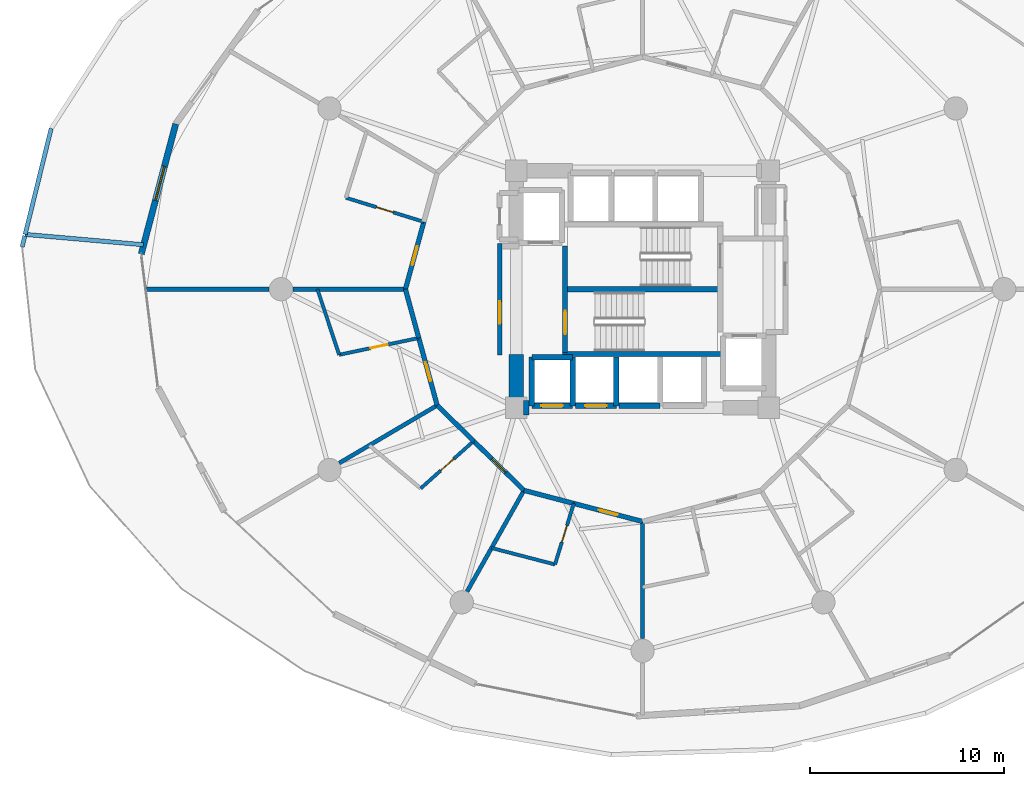
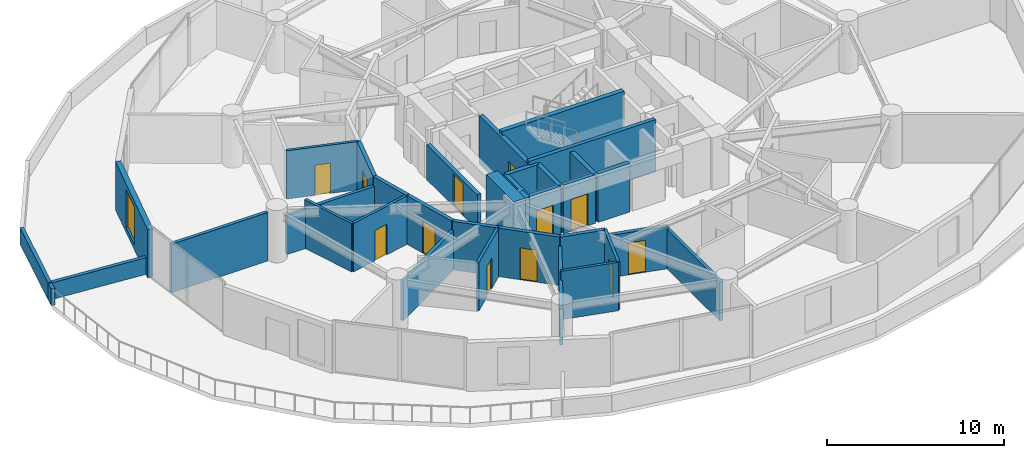
# One storey, part 18 of 25: 35 walls, 12 doors, 1 window, 13 openings.
"""IFC4 building model written with IfcOpenShell, lengths in metres."""

from ifc_helpers import new_model, si_unit, direction, frame, frame_2d, origin, place, context, subcontext, project, spatial, rectangle, extrude, material, layer, layer_set, type_object, element, fill, save


model = new_model("IFC4")

# Units and contexts
model_context = context("Model", 3, precision=1e-05, world=origin(), true_north=direction((0.0, 1.0)))
body_context = subcontext(model_context, "Body", "Model", "MODEL_VIEW")
ifc_project = project(units=[si_unit("LENGTHUNIT", "METRE"), si_unit("AREAUNIT", "SQUARE_METRE"), si_unit("VOLUMEUNIT", "CUBIC_METRE"), si_unit("PLANEANGLEUNIT", "RADIAN"), si_unit("MASSUNIT", "GRAM", prefix="KILO")], contexts=[model_context])

# Site, building, storey
site_placement = place(None, origin())
site = spatial("IfcSite", under=ifc_project, at=site_placement, CompositionType="ELEMENT")
building_placement = place(site_placement, origin())
building = spatial("IfcBuilding", under=site, at=building_placement, Name="Solvirekh Grand Hotel", CompositionType="ELEMENT")
storey_placement = place(building_placement, frame((0.0, 0.0, 28.39990234375)))
storey = spatial("IfcBuildingStorey", under=building, at=storey_placement, Name="L05", CompositionType="ELEMENT", Elevation=28.39990234375)

# Wall
ifc_material_1 = material(Name="Concrete C50/60", Category="concrete")
ifc_layer_1 = layer(ifc_material_1, 0.35009765625)
ifc_layer_set_1 = layer_set([ifc_layer_1], Name="Concrete C50/60")
wall_type_1 = type_object("IfcWallType", Name="CoreDivWall_RC350", PredefinedType="SOLIDWALL", material=ifc_layer_set_1)
wall_1_placement = place(storey_placement, frame((-4.1298828125, -3.324951171875, 0.0), z_axis=(0.0, 0.0, 1.0), x_axis=(1.0, 0.0, 0.0)))
element("IfcWall", 1, at=wall_1_placement, inside=storey, type_object=wall_type_1, Name="L05 core stair box wall ST-S", PredefinedType="SOLIDWALL", context=body_context, shape_type="SweptSolid", body=[
    extrude(rectangle(XDim=8.259765625, YDim=0.25, at=frame_2d((4.1298828125, 0.0))), origin(), (0.0, 0.0, 1.0), 3.60009765625),
])

# Wall, opening, door
ifc_material_2 = material(Name="Concrete C40/50", Category="concrete")
ifc_layer_2 = layer(ifc_material_2, 0.280029296875)
ifc_layer_set_2 = layer_set([ifc_layer_2], Name="Concrete C40/50")
wall_type_2 = type_object("IfcWallType", Name="CoreShaftWall_RC280", PredefinedType="SOLIDWALL", material=ifc_layer_set_2)
wall_2_placement = place(storey_placement, frame((-5.699951171875, -6.0, 0.0), z_axis=(0.0, 0.0, 1.0), x_axis=(1.0, 0.0, 0.0)))
wall_2 = element("IfcWall", 2, at=wall_2_placement, inside=storey, type_object=wall_type_2, Name="L05 LP-1 hoistway S wall", PredefinedType="SOLIDWALL", context=body_context, shape_type="SweptSolid", body=[
    extrude(rectangle(XDim=2.099853515625, YDim=0.280029296875, at=frame_2d((1.0498046875, 0.0))), origin(), (0.0, 0.0, 1.0), 3.340087890625),
])
opening_1_placement = place(wall_2_placement, frame((0.5, 0.0, 0.0)))
opening_1 = element("IfcOpeningElement", 3, at=opening_1_placement, cuts=wall_2, Name="Opening LD01", PredefinedType="OPENING", context=body_context, shape_type="SweptSolid", body=[
    extrude(rectangle(XDim=1.10009765625, YDim=2.199951171875, at=frame_2d((0.550048828125, 1.10009765625))), frame((0.0, 0.14990234375, 0.0), z_axis=(0.0, -1.0, 0.0), x_axis=(1.0, 0.0, 0.0)), (0.0, 0.0, 1.0), 0.300048828125),
])
ifc_material_3 = material(Name="Fire-Rated Steel Door Assembly", Category="steel")
door_type_1 = type_object("IfcDoorType", Name="Door_LiftLanding_1100X2200", OperationType="SLIDING_TO_LEFT", PredefinedType="DOOR", material=ifc_material_3)
door_1_placement = place(opening_1_placement, origin())
door_1 = element("IfcDoor", 4, at=door_1_placement, inside=storey, type_object=door_type_1, Name="L05 LP-1 sliding lift landing door", OperationType="SLIDING_TO_LEFT", OverallHeight=2.199951171875, OverallWidth=1.10009765625, PredefinedType="DOOR", context=body_context, shape_type="SweptSolid", body=[
    extrude(rectangle(XDim=1.10009765625, YDim=2.199951171875, at=frame_2d((0.550048828125, 1.10009765625))), frame((0.0, 0.02490234375, 0.0), z_axis=(0.0, -1.0, 0.0), x_axis=(1.0, 0.0, 0.0)), (0.0, 0.0, 1.0), 0.050048828125),
])
fill(opening_1, door_1)

# Walls
wall_3_placement = place(storey_placement, frame((-3.60009765625, -3.5, 0.0), z_axis=(0.0, 0.0, 1.0), x_axis=(-1.0, 0.0, 0.0)))
element("IfcWall", 5, at=wall_3_placement, inside=storey, type_object=wall_type_2, Name="L05 LP-1 hoistway N wall", PredefinedType="SOLIDWALL", context=body_context, shape_type="SweptSolid", body=[
    extrude(rectangle(XDim=2.099853515625, YDim=0.280029296875, at=frame_2d((1.0498046875, 0.0))), origin(), (0.0, 0.0, 1.0), 3.340087890625),
])
for number, where, z_axis, x_axis, name in (
    (6, (-5.699951171875, -3.5, 0.0), (0.0, 0.0, 1.0), (0.0, -1.0, 0.0), "L05 LP-1 hoistway W wall"),
    (7, (-3.60009765625, -6.0, 0.0), (0.0, 0.0, 1.0), (0.0, 1.0, 0.0), "L05 LP-1 hoistway E wall"),
):
    element("IfcWall", number, at=place(storey_placement, frame(where, z_axis=z_axis, x_axis=x_axis)), inside=storey, type_object=wall_type_2, Name=name, PredefinedType="SOLIDWALL", context=body_context, shape_type="SweptSolid", body=[
        extrude(rectangle(XDim=2.5, YDim=0.280029296875, at=frame_2d((1.25, 0.0))), origin(), (0.0, 0.0, 1.0), 3.340087890625),
    ])

# Wall, opening, door
wall_4_placement = place(storey_placement, frame((-3.449951171875, -6.0, 0.0), z_axis=(0.0, 0.0, 1.0), x_axis=(1.0, 0.0, 0.0)))
wall_4 = element("IfcWall", 8, at=wall_4_placement, inside=storey, type_object=wall_type_2, Name="L05 LP-2 hoistway S wall", PredefinedType="SOLIDWALL", context=body_context, shape_type="SweptSolid", body=[
    extrude(rectangle(XDim=2.099853515625, YDim=0.280029296875, at=frame_2d((1.0498046875, 0.0))), origin(), (0.0, 0.0, 1.0), 3.340087890625),
])
opening_2_placement = place(wall_4_placement, frame((0.5, 0.0, 0.0)))
opening_2 = element("IfcOpeningElement", 9, at=opening_2_placement, cuts=wall_4, Name="Opening LD01", PredefinedType="OPENING", context=body_context, shape_type="SweptSolid", body=[
    extrude(rectangle(XDim=1.10009765625, YDim=2.199951171875, at=frame_2d((0.550048828125, 1.10009765625))), frame((0.0, 0.14990234375, 0.0), z_axis=(0.0, -1.0, 0.0), x_axis=(1.0, 0.0, 0.0)), (0.0, 0.0, 1.0), 0.300048828125),
])
door_2_placement = place(opening_2_placement, origin())
door_2 = element("IfcDoor", 10, at=door_2_placement, inside=storey, type_object=door_type_1, Name="L05 LP-2 sliding lift landing door", OperationType="SLIDING_TO_LEFT", OverallHeight=2.199951171875, OverallWidth=1.10009765625, PredefinedType="DOOR", context=body_context, shape_type="SweptSolid", body=[
    extrude(rectangle(XDim=1.10009765625, YDim=2.199951171875, at=frame_2d((0.550048828125, 1.10009765625))), frame((0.0, 0.02490234375, 0.0), z_axis=(0.0, -1.0, 0.0), x_axis=(1.0, 0.0, 0.0)), (0.0, 0.0, 1.0), 0.050048828125),
])
fill(opening_2, door_2)

# Walls
wall_5_placement = place(storey_placement, frame((-1.35009765625, -6.0, 0.0), z_axis=(0.0, 0.0, 1.0), x_axis=(0.0, 1.0, 0.0)))
element("IfcWall", 11, at=wall_5_placement, inside=storey, type_object=wall_type_2, Name="L05 LP-2 hoistway E wall", PredefinedType="SOLIDWALL", context=body_context, shape_type="SweptSolid", body=[
    extrude(rectangle(XDim=2.5, YDim=0.280029296875, at=frame_2d((1.25, 0.0))), origin(), (0.0, 0.0, 1.0), 3.340087890625),
])
wall_6_placement = place(storey_placement, frame((-1.199951171875, -6.0, 0.0), z_axis=(0.0, 0.0, 1.0), x_axis=(1.0, 0.0, 0.0)))
element("IfcWall", 12, at=wall_6_placement, inside=storey, type_object=wall_type_2, Name="L05 MP-1 hoistway S wall", PredefinedType="SOLIDWALL", context=body_context, shape_type="SweptSolid", body=[
    extrude(rectangle(XDim=2.099853515625, YDim=0.280029296875, at=frame_2d((1.0498046875, 0.0))), origin(), (0.0, 0.0, 1.0), 3.340087890625),
])

# Wall, opening, door
wall_7_placement = place(storey_placement, frame((-3.989990234375, -3.25, 0.0), z_axis=(0.0, 0.0, 1.0), x_axis=(0.0, 1.0, 0.0)))
wall_7 = element("IfcWall", 13, at=wall_7_placement, inside=storey, type_object=wall_type_2, Name="L05 west stair landing enclosure wall", PredefinedType="SOLIDWALL", context=body_context, shape_type="SweptSolid", body=[
    extrude(rectangle(XDim=5.4599609375, YDim=0.280029296875, at=frame_2d((2.72998046875, 0.0))), origin(), (0.0, 0.0, 1.0), 3.340087890625),
])
opening_3_placement = place(wall_7_placement, frame((0.93701171875, 0.0, 0.0)))
opening_3 = element("IfcOpeningElement", 14, at=opening_3_placement, cuts=wall_7, Name="Opening D05", PredefinedType="OPENING", context=body_context, shape_type="SweptSolid", body=[
    extrude(rectangle(XDim=1.199951171875, YDim=2.199951171875, at=frame_2d((0.60009765625, 1.10009765625))), frame((0.0, 0.14990234375, 0.0), z_axis=(0.0, -1.0, 0.0), x_axis=(1.0, 0.0, 0.0)), (0.0, 0.0, 1.0), 0.300048828125),
])
door_type_2 = type_object("IfcDoorType", Name="Door_StairCore_1200X2200", OperationType="NOTDEFINED", PredefinedType="DOOR", material=ifc_material_3)
door_3_placement = place(opening_3_placement, origin())
door_3 = element("IfcDoor", 15, at=door_3_placement, inside=storey, type_object=door_type_2, Name="L05 exit stair ST-1 fire door", OperationType="SINGLE_SWING_RIGHT", OverallHeight=2.199951171875, OverallWidth=1.199951171875, PredefinedType="DOOR", context=body_context, shape_type="SweptSolid", body=[
    extrude(rectangle(XDim=1.199951171875, YDim=2.199951171875, at=frame_2d((0.60009765625, 1.10009765625))), frame((0.0, 0.02490234375, 0.0), z_axis=(0.0, -1.0, 0.0), x_axis=(1.0, 0.0, 0.0)), (0.0, 0.0, 1.0), 0.050048828125),
])
fill(opening_3, door_3)

# Walls
ifc_material_4 = material(Name="Concrete C60/75", Category="concrete")
ifc_layer_3 = layer(ifc_material_4, 0.75)
ifc_layer_set_3 = layer_set([ifc_layer_3], Name="Concrete C60/75")
wall_type_3 = type_object("IfcWallType", Name="CoreWall_RC750", PredefinedType="SHEAR", material=ifc_layer_set_3)
wall_8_placement = place(storey_placement, frame((-3.989990234375, 0.0, 0.0), z_axis=(0.0, 0.0, 1.0), x_axis=(1.0, 0.0, 0.0)))
element("IfcWall", 16, at=wall_8_placement, inside=storey, type_object=wall_type_3, Name="L05 central stair-spine shear wall", PredefinedType="SHEAR", context=body_context, shape_type="SweptSolid", body=[
    extrude(rectangle(XDim=7.97998046875, YDim=0.300048828125, at=frame_2d((3.989990234375, 0.0))), origin(), (0.0, 0.0, 1.0), 3.60009765625),
])
wall_9_placement = place(storey_placement, frame((-6.125, -6.10009765625, 0.0), z_axis=(0.0, 0.0, 1.0), x_axis=(1.0, 0.0, 0.0)))
element("IfcWall", 17, at=wall_9_placement, inside=storey, type_object=wall_type_3, Name="L05 core corner shear wall SW-S", PredefinedType="SHEAR", context=body_context, shape_type="SweptSolid", body=[
    extrude(rectangle(XDim=0.27490234375, YDim=0.75, at=frame_2d((0.137451171875, 0.0))), origin(), (0.0, 0.0, 1.0), 3.60009765625),
])
wall_10_placement = place(storey_placement, frame((-6.5, -6.47509765625, 0.0), z_axis=(0.0, 0.0, 1.0), x_axis=(0.0, 1.0, 0.0)))
element("IfcWall", 18, at=wall_10_placement, inside=storey, type_object=wall_type_3, Name="L05 core corner shear wall WS-W", PredefinedType="SHEAR", context=body_context, shape_type="SweptSolid", body=[
    extrude(rectangle(XDim=3.125, YDim=0.75, at=frame_2d((1.5625, 0.0))), origin(), (0.0, 0.0, 1.0), 3.60009765625),
])

# Wall, opening, window
ifc_material_5 = material(Name="Precast concrete C45/55", Category="concrete")
ifc_layer_4 = layer(ifc_material_5, 0.320068359375)
ifc_layer_set_4 = layer_set([ifc_layer_4], Name="Precast concrete C45/55")
wall_type_4 = type_object("IfcWallType", Name="ExtLobbyWall_RC320", PredefinedType="SOLIDWALL", material=ifc_layer_set_4)
wall_11_placement = place(storey_placement, frame((-25.7890625, 1.80810546875, 0.0), z_axis=(0.0, 0.0, 1.0), x_axis=(0.255999140835, 0.966677009084, 0.0)))
wall_11 = element("IfcWall", 19, at=wall_11_placement, inside=storey, type_object=wall_type_4, Name="L05 exterior structural wall chord 10", PredefinedType="SOLIDWALL", context=body_context, shape_type="SweptSolid", body=[
    extrude(rectangle(XDim=6.925537109375, YDim=0.320068359375, at=frame_2d((3.462890625, 0.0))), origin(), (0.0, 0.0, 1.0), 3.340087890625),
])
opening_4_placement = place(wall_11_placement, frame((2.85791015625, 0.0, 0.35009765625)))
opening_4 = element("IfcOpeningElement", 20, at=opening_4_placement, cuts=wall_11, Name="Opening W02", PredefinedType="OPENING", context=body_context, shape_type="SweptSolid", body=[
    extrude(rectangle(XDim=1.800048828125, YDim=2.60009765625, at=frame_2d((0.89990234375, 1.300048828125))), frame((0.0, 0.169921875, 0.0), z_axis=(0.0, -1.0, 0.0), x_axis=(1.0, 0.0, 0.0)), (0.0, 0.0, 1.0), 0.340087890625),
])
ifc_material_6 = material(Name="Low-E Tinted Bronze Laminated Glass", Category="aluminium")
window_type = type_object("IfcWindowType", Name="Win_LobbyExt_1800X2600", PartitioningType="SINGLE_PANEL", PredefinedType="WINDOW", material=ifc_material_6)
window_placement = place(opening_4_placement, origin())
window = element("IfcWindow", 21, at=window_placement, inside=storey, type_object=window_type, Name="L05 panoramic bronze-framed window 10", OverallHeight=2.60009765625, OverallWidth=1.800048828125, PartitioningType="SINGLE_PANEL", PredefinedType="WINDOW", context=body_context, shape_type="SweptSolid", body=[
    extrude(rectangle(XDim=1.800048828125, YDim=2.60009765625, at=frame_2d((0.89990234375, 1.300048828125))), frame((0.0, 0.030029296875, 0.0), z_axis=(0.0, -1.0, 0.0), x_axis=(1.0, 0.0, 0.0)), (0.0, 0.0, 1.0), 0.06005859375),
])
fill(opening_4, window)

# Walls
ifc_layer_5 = layer(ifc_material_5, 0.219970703125)
ifc_layer_set_5 = layer_set([ifc_layer_5], Name="Precast concrete C45/55")
wall_type_5 = type_object("IfcWallType", Name="ExtParapet_RC220", PredefinedType="PARAPET", material=ifc_layer_set_5)
wall_12_placement = place(storey_placement, frame((-30.424072265625, 8.26806640625, 0.0), z_axis=(0.0, 0.0, 1.0), x_axis=(-0.238448420352, -0.971155163108, 0.0)))
element("IfcWall", 22, at=wall_12_placement, inside=storey, type_object=wall_type_5, Name="L05 north podium roof upstand parapet 9", PredefinedType="PARAPET", context=body_context, shape_type="SweptSolid", body=[
    extrude(rectangle(XDim=5.61083984375, YDim=0.219970703125, at=frame_2d((2.805419921875, 0.0))), origin(), (0.0, 0.0, 1.0), 1.150146484375),
])
wall_13_placement = place(storey_placement, frame((-31.761962890625, 2.819091796875, 0.0), z_axis=(0.0, 0.0, 1.0), x_axis=(0.996192544857, -0.087180350827, 0.0)))
element("IfcWall", 23, at=wall_13_placement, inside=storey, type_object=wall_type_5, Name="L05 north podium roof upstand parapet 10", PredefinedType="PARAPET", context=body_context, shape_type="SweptSolid", body=[
    extrude(rectangle(XDim=6.10205078125, YDim=0.219970703125, at=frame_2d((3.051025390625, 0.0))), origin(), (0.0, 0.0, 1.0), 1.150146484375),
])
wall_14_placement = place(storey_placement, frame((-31.781005859375, 2.739990234375, 0.0), z_axis=(0.0, 0.0, 1.0), x_axis=(-0.239562554153, -0.970880931241, 0.0)))
element("IfcWall", 24, at=wall_14_placement, inside=storey, type_object=wall_type_5, Name="L05 west terrace movement-joint end pier 1A", PredefinedType="PARAPET", context=body_context, shape_type="SweptSolid", body=[
    extrude(rectangle(XDim=0.579833984375, YDim=0.219970703125, at=frame_2d((0.2900390625, 0.0))), origin(), (0.0, 0.0, 1.0), 1.150146484375),
])

# Wall, opening, door
ifc_material_7 = material(Name="Acoustic Gypsum Partition Assembly")
ifc_layer_6 = layer(ifc_material_7, 0.239990234375)
ifc_layer_set_6 = layer_set([ifc_layer_6], Name="Acoustic Gypsum Partition Assembly")
wall_type_6 = type_object("IfcWallType", Name="Part_Corridor_240", PredefinedType="PARTITIONING", material=ifc_layer_set_6)
wall_15_placement = place(storey_placement, frame((-7.35009765625, -3.3798828125, 0.0), z_axis=(0.0, 0.0, 1.0), x_axis=(0.0, 1.0, 0.0)))
wall_15 = element("IfcWall", 25, at=wall_15_placement, inside=storey, type_object=wall_type_6, Name="L05 west firefighting lobby smoke screen wall", PredefinedType="PARTITIONING", context=body_context, shape_type="SweptSolid", body=[
    extrude(rectangle(XDim=5.719970703125, YDim=0.239990234375, at=frame_2d((2.85986328125, 0.0))), origin(), (0.0, 0.0, 1.0), 2.425048828125),
])
opening_5_placement = place(wall_15_placement, frame((1.59912109375, 0.0, 0.0)))
opening_5 = element("IfcOpeningElement", 26, at=opening_5_placement, cuts=wall_15, Name="Opening D06", PredefinedType="OPENING", context=body_context, shape_type="SweptSolid", body=[
    extrude(rectangle(XDim=1.14990234375, YDim=2.199951171875, at=frame_2d((0.574951171875, 1.10009765625))), frame((0.0, 0.1298828125, 0.0), z_axis=(0.0, -1.0, 0.0), x_axis=(1.0, 0.0, 0.0)), (0.0, 0.0, 1.0), 0.260009765625),
])
door_type_3 = type_object("IfcDoorType", Name="Door_FFLobby_1150X2200", OperationType="NOTDEFINED", PredefinedType="DOOR", material=ifc_material_3)
door_4_placement = place(opening_5_placement, origin())
door_4 = element("IfcDoor", 27, at=door_4_placement, inside=storey, type_object=door_type_3, Name="L05 west firefighting lobby smoke door", OperationType="SINGLE_SWING_RIGHT", OverallHeight=2.199951171875, OverallWidth=1.14990234375, PredefinedType="DOOR", context=body_context, shape_type="SweptSolid", body=[
    extrude(rectangle(XDim=1.14990234375, YDim=2.199951171875, at=frame_2d((0.574951171875, 1.10009765625))), frame((0.0, 0.02490234375, 0.0), z_axis=(0.0, -1.0, 0.0), x_axis=(1.0, 0.0, 0.0)), (0.0, 0.0, 1.0), 0.050048828125),
])
fill(opening_5, door_4)

wall_16_placement = place(storey_placement, frame((-11.251953125, 3.466064453125, 0.0), z_axis=(0.0, 0.0, 1.0), x_axis=(-0.263818706543, -0.96457228349, 0.0)))
wall_16 = element("IfcWall", 28, at=wall_16_placement, inside=storey, type_object=wall_type_6, Name="L05 Deluxe Guestroom 0705 entrance wall", PredefinedType="PARTITIONING", context=body_context, shape_type="SweptSolid", body=[
    extrude(rectangle(XDim=3.59326171875, YDim=0.239990234375, at=frame_2d((1.796630859375, 0.0))), origin(), (0.0, 0.0, 1.0), 3.340087890625),
])
opening_6_placement = place(wall_16_placement, frame((1.297119140625, 0.0, 0.0)))
opening_6 = element("IfcOpeningElement", 29, at=opening_6_placement, cuts=wall_16, Name="Opening D07", PredefinedType="OPENING", context=body_context, shape_type="SweptSolid", body=[
    extrude(rectangle(XDim=1.0, YDim=2.199951171875, at=frame_2d((0.5, 1.10009765625))), frame((0.0, 0.1298828125, 0.0), z_axis=(0.0, -1.0, 0.0), x_axis=(1.0, 0.0, 0.0)), (0.0, 0.0, 1.0), 0.260009765625),
])
door_type_4 = type_object("IfcDoorType", Name="Door_GuestEntry_1000X2200", OperationType="NOTDEFINED", PredefinedType="DOOR", material=ifc_material_3)
door_5_placement = place(opening_6_placement, origin())
door_5 = element("IfcDoor", 30, at=door_5_placement, inside=storey, type_object=door_type_4, Name="L05 Deluxe Guestroom 0705 entrance door", OperationType="SINGLE_SWING_LEFT", OverallHeight=2.199951171875, OverallWidth=1.0, PredefinedType="DOOR", context=body_context, shape_type="SweptSolid", body=[
    extrude(rectangle(XDim=1.0, YDim=2.199951171875, at=frame_2d((0.5, 1.10009765625))), frame((0.0, 0.02490234375, 0.0), z_axis=(0.0, -1.0, 0.0), x_axis=(1.0, 0.0, 0.0)), (0.0, 0.0, 1.0), 0.050048828125),
])
fill(opening_6, door_5)

# Wall
wall_17_placement = place(storey_placement, frame((-12.199951171875, 0.0, 0.0), z_axis=(0.0, 0.0, 1.0), x_axis=(0.263744763784, -0.964592504416, 0.0)))
element("IfcWall", 31, at=wall_17_placement, inside=storey, type_object=wall_type_6, Name="L05 En-suite Bathroom 0706 corridor backing wall", PredefinedType="PARTITIONING", context=body_context, shape_type="SweptSolid", body=[
    extrude(rectangle(XDim=2.60107421875, YDim=0.239990234375, at=frame_2d((1.300537109375, 0.0))), origin(), (0.0, 0.0, 1.0), 3.340087890625),
])

# Wall, opening, door
wall_18_placement = place(storey_placement, frame((-11.513916015625, -2.509033203125, 0.0), z_axis=(0.0, 0.0, 1.0), x_axis=(0.263818706543, -0.96457228349, 0.0)))
wall_18 = element("IfcWall", 32, at=wall_18_placement, inside=storey, type_object=wall_type_6, Name="L05 Deluxe Guestroom 0706 entrance wall", PredefinedType="PARTITIONING", context=body_context, shape_type="SweptSolid", body=[
    extrude(rectangle(XDim=3.59326171875, YDim=0.239990234375, at=frame_2d((1.796630859375, 0.0))), origin(), (0.0, 0.0, 1.0), 3.340087890625),
])
opening_7_placement = place(wall_18_placement, frame((1.297119140625, 0.0, 0.0)))
opening_7 = element("IfcOpeningElement", 33, at=opening_7_placement, cuts=wall_18, Name="Opening D07", PredefinedType="OPENING", context=body_context, shape_type="SweptSolid", body=[
    extrude(rectangle(XDim=1.0, YDim=2.199951171875, at=frame_2d((0.5, 1.10009765625))), frame((0.0, 0.1298828125, 0.0), z_axis=(0.0, -1.0, 0.0), x_axis=(1.0, 0.0, 0.0)), (0.0, 0.0, 1.0), 0.260009765625),
])
door_6_placement = place(opening_7_placement, origin())
door_6 = element("IfcDoor", 34, at=door_6_placement, inside=storey, type_object=door_type_4, Name="L05 Deluxe Guestroom 0706 entrance door", OperationType="SINGLE_SWING_LEFT", OverallHeight=2.199951171875, OverallWidth=1.0, PredefinedType="DOOR", context=body_context, shape_type="SweptSolid", body=[
    extrude(rectangle(XDim=1.0, YDim=2.199951171875, at=frame_2d((0.5, 1.10009765625))), frame((0.0, 0.02490234375, 0.0), z_axis=(0.0, -1.0, 0.0), x_axis=(1.0, 0.0, 0.0)), (0.0, 0.0, 1.0), 0.050048828125),
])
fill(opening_7, door_6)

# Wall
wall_19_placement = place(storey_placement, frame((-10.56591796875, -5.97509765625, 0.0), z_axis=(0.0, 0.0, 1.0), x_axis=(0.714506552913, -0.699628748584, 0.0)))
element("IfcWall", 35, at=wall_19_placement, inside=storey, type_object=wall_type_6, Name="L05 En-suite Bathroom 0707 corridor backing wall", PredefinedType="PARTITIONING", context=body_context, shape_type="SweptSolid", body=[
    extrude(rectangle(XDim=2.62548828125, YDim=0.239990234375, at=frame_2d((1.312744140625, 0.0))), origin(), (0.0, 0.0, 1.0), 3.340087890625),
])

# Wall, opening, door
wall_20_placement = place(storey_placement, frame((-8.68994140625, -7.81201171875, 0.0), z_axis=(0.0, 0.0, 1.0), x_axis=(0.714342093268, -0.699796666029, 0.0)))
wall_20 = element("IfcWall", 36, at=wall_20_placement, inside=storey, type_object=wall_type_6, Name="L05 Deluxe Guestroom 0707 entrance wall", PredefinedType="PARTITIONING", context=body_context, shape_type="SweptSolid", body=[
    extrude(rectangle(XDim=3.62548828125, YDim=0.239990234375, at=frame_2d((1.812744140625, 0.0))), origin(), (0.0, 0.0, 1.0), 3.340087890625),
])
opening_8_placement = place(wall_20_placement, frame((1.31298828125, 0.0, 0.0)))
opening_8 = element("IfcOpeningElement", 37, at=opening_8_placement, cuts=wall_20, Name="Opening D07", PredefinedType="OPENING", context=body_context, shape_type="SweptSolid", body=[
    extrude(rectangle(XDim=1.0, YDim=2.199951171875, at=frame_2d((0.5, 1.10009765625))), frame((0.0, 0.1298828125, 0.0), z_axis=(0.0, -1.0, 0.0), x_axis=(1.0, 0.0, 0.0)), (0.0, 0.0, 1.0), 0.260009765625),
])
door_7_placement = place(opening_8_placement, origin())
door_7 = element("IfcDoor", 38, at=door_7_placement, inside=storey, type_object=door_type_4, Name="L05 Deluxe Guestroom 0707 entrance door", OperationType="SINGLE_SWING_LEFT", OverallHeight=2.199951171875, OverallWidth=1.0, PredefinedType="DOOR", context=body_context, shape_type="SweptSolid", body=[
    extrude(rectangle(XDim=1.0, YDim=2.199951171875, at=frame_2d((0.5, 1.10009765625))), frame((0.0, 0.02490234375, 0.0), z_axis=(0.0, -1.0, 0.0), x_axis=(1.0, 0.0, 0.0)), (0.0, 0.0, 1.0), 0.050048828125),
])
fill(opening_8, door_7)

# Wall
wall_21_placement = place(storey_placement, frame((-6.10009765625, -10.34912109375, 0.0), z_axis=(0.0, 0.0, 1.0), x_axis=(0.967291490053, -0.253667446219, 0.0)))
element("IfcWall", 39, at=wall_21_placement, inside=storey, type_object=wall_type_6, Name="L05 En-suite Bathroom 0708 corridor backing wall", PredefinedType="PARTITIONING", context=body_context, shape_type="SweptSolid", body=[
    extrude(rectangle(XDim=2.648681640625, YDim=0.239990234375, at=frame_2d((1.32421875, 0.0))), origin(), (0.0, 0.0, 1.0), 3.340087890625),
])

# Wall, opening, door
wall_22_placement = place(storey_placement, frame((-3.5380859375, -11.02099609375, 0.0), z_axis=(0.0, 0.0, 1.0), x_axis=(0.96721703222, -0.253951201187, 0.0)))
wall_22 = element("IfcWall", 40, at=wall_22_placement, inside=storey, type_object=wall_type_6, Name="L05 Deluxe Guestroom 0708 entrance wall", PredefinedType="PARTITIONING", context=body_context, shape_type="SweptSolid", body=[
    extrude(rectangle(XDim=3.657958984375, YDim=0.239990234375, at=frame_2d((1.8291015625, 0.0))), origin(), (0.0, 0.0, 1.0), 2.919189453125),
])
opening_9_placement = place(wall_22_placement, frame((1.3291015625, 0.0, 0.0)))
opening_9 = element("IfcOpeningElement", 41, at=opening_9_placement, cuts=wall_22, Name="Opening D07", PredefinedType="OPENING", context=body_context, shape_type="SweptSolid", body=[
    extrude(rectangle(XDim=1.0, YDim=2.199951171875, at=frame_2d((0.5, 1.10009765625))), frame((0.0, 0.1298828125, 0.0), z_axis=(0.0, -1.0, 0.0), x_axis=(1.0, 0.0, 0.0)), (0.0, 0.0, 1.0), 0.260009765625),
])
door_8_placement = place(opening_9_placement, origin())
door_8 = element("IfcDoor", 42, at=door_8_placement, inside=storey, type_object=door_type_4, Name="L05 Deluxe Guestroom 0708 entrance door", OperationType="SINGLE_SWING_LEFT", OverallHeight=2.199951171875, OverallWidth=1.0, PredefinedType="DOOR", context=body_context, shape_type="SweptSolid", body=[
    extrude(rectangle(XDim=1.0, YDim=2.199951171875, at=frame_2d((0.5, 1.10009765625))), frame((0.0, 0.02490234375, 0.0), z_axis=(0.0, -1.0, 0.0), x_axis=(1.0, 0.0, 0.0)), (0.0, 0.0, 1.0), 0.050048828125),
])
fill(opening_9, door_8)

# Walls
ifc_layer_7 = layer(ifc_material_7, 0.2099609375)
ifc_layer_set_7 = layer_set([ifc_layer_7], Name="Acoustic Gypsum Partition Assembly")
wall_type_7 = type_object("IfcWallType", Name="Part_SuiteDemise_210", PredefinedType="PARTITIONING", material=ifc_layer_set_7)
wall_23_placement = place(storey_placement, frame((-12.199951171875, 0.0, 0.0), z_axis=(0.0, 0.0, 1.0), x_axis=(-1.0, 0.0, 0.0)))
element("IfcWall", 43, at=wall_23_placement, inside=storey, type_object=wall_type_7, Name="L05 suite radial wall 7 (A)", PredefinedType="PARTITIONING", context=body_context, shape_type="SweptSolid", body=[
    extrude(rectangle(XDim=5.780029296875, YDim=0.2099609375, at=frame_2d((2.89013671875, 0.0))), origin(), (0.0, 0.0, 1.0), 2.7080078125),
])
wall_24_placement = place(storey_placement, frame((-19.219970703125, 0.0, 0.0), z_axis=(0.0, 0.0, 1.0), x_axis=(-1.0, 0.0, 0.0)))
element("IfcWall", 44, at=wall_24_placement, inside=storey, type_object=wall_type_7, Name="L05 suite radial wall 7 (B)", PredefinedType="PARTITIONING", context=body_context, shape_type="SweptSolid", body=[
    extrude(rectangle(XDim=6.302001953125, YDim=0.2099609375, at=frame_2d((3.15087890625, 0.0))), origin(), (0.0, 0.0, 1.0), 3.340087890625),
])
wall_25_placement = place(storey_placement, frame((-10.56591796875, -5.97509765625, 0.0), z_axis=(0.0, 0.0, 1.0), x_axis=(-0.861473203585, -0.507803032194, 0.0)))
element("IfcWall", 45, at=wall_25_placement, inside=storey, type_object=wall_type_7, Name="L05 suite radial wall 8 (A)", PredefinedType="PARTITIONING", context=body_context, shape_type="SweptSolid", body=[
    extrude(rectangle(XDim=5.8447265625, YDim=0.2099609375, at=frame_2d((2.92236328125, 0.0))), origin(), (0.0, 0.0, 1.0), 2.7080078125),
])
wall_26_placement = place(storey_placement, frame((-6.10009765625, -10.34912109375, 0.0), z_axis=(0.0, 0.0, 1.0), x_axis=(-0.490503945764, -0.871438970433, 0.0)))
element("IfcWall", 46, at=wall_26_placement, inside=storey, type_object=wall_type_7, Name="L05 suite radial wall 9 (A)", PredefinedType="PARTITIONING", context=body_context, shape_type="SweptSolid", body=[
    extrude(rectangle(XDim=5.96923828125, YDim=0.2099609375, at=frame_2d((2.984619140625, 0.0))), origin(), (0.0, 0.0, 1.0), 2.7080078125),
])
wall_27_placement = place(storey_placement, frame((0.0, -11.949951171875, 0.0), z_axis=(0.0, 0.0, 1.0), x_axis=(0.0, -1.0, 0.0)))
element("IfcWall", 47, at=wall_27_placement, inside=storey, type_object=wall_type_7, Name="L05 suite radial wall 10 (A)", PredefinedType="PARTITIONING", context=body_context, shape_type="SweptSolid", body=[
    extrude(rectangle(XDim=6.030029296875, YDim=0.2099609375, at=frame_2d((3.01513671875, 0.0))), origin(), (0.0, 0.0, 1.0), 2.7080078125),
])

# Wall, opening, door
ifc_layer_8 = layer(ifc_material_7, 0.175048828125)
ifc_layer_set_8 = layer_set([ifc_layer_8], Name="Acoustic Gypsum Partition Assembly")
wall_type_8 = type_object("IfcWallType", Name="Plumb_Ensuite_175", PredefinedType="PLUMBINGWALL", material=ifc_layer_set_8)
wall_28_placement = place(storey_placement, frame((-11.251953125, 3.466064453125, 0.0), z_axis=(0.0, 0.0, 1.0), x_axis=(-0.955346516927, 0.295487787557, 0.0)))
wall_28 = element("IfcWall", 48, at=wall_28_placement, inside=storey, type_object=wall_type_8, Name="L05 En-suite Bathroom 0705 entry plumbing wall", PredefinedType="PLUMBINGWALL", context=body_context, shape_type="SweptSolid", body=[
    extrude(rectangle(XDim=4.196533203125, YDim=0.175048828125, at=frame_2d((2.09814453125, 0.0))), origin(), (0.0, 0.0, 1.0), 3.340087890625),
])
opening_10_placement = place(wall_28_placement, frame((1.64794921875, 0.0, 0.0)))
opening_10 = element("IfcOpeningElement", 49, at=opening_10_placement, cuts=wall_28, Name="Opening D09", PredefinedType="OPENING", context=body_context, shape_type="SweptSolid", body=[
    extrude(rectangle(XDim=0.89990234375, YDim=2.10009765625, at=frame_2d((0.449951171875, 1.050048828125))), frame((0.0, 0.09765625, 0.0), z_axis=(0.0, -1.0, 0.0), x_axis=(1.0, 0.0, 0.0)), (0.0, 0.0, 1.0), 0.195068359375),
])
ifc_material_8 = material(Name="Anodized Bronze Aluminium 6063-T6", Category="aluminium")
door_type_5 = type_object("IfcDoorType", Name="Door_Ensuite_900X2100", OperationType="NOTDEFINED", PredefinedType="DOOR", material=ifc_material_8)
door_9_placement = place(opening_10_placement, origin())
door_9 = element("IfcDoor", 50, at=door_9_placement, inside=storey, type_object=door_type_5, Name="L05 En-suite Bathroom 0705 door", OperationType="SINGLE_SWING_RIGHT", OverallHeight=2.10009765625, OverallWidth=0.89990234375, PredefinedType="DOOR", context=body_context, shape_type="SweptSolid", body=[
    extrude(rectangle(XDim=0.89990234375, YDim=2.10009765625, at=frame_2d((0.449951171875, 1.050048828125))), frame((0.0, 0.02490234375, 0.0), z_axis=(0.0, -1.0, 0.0), x_axis=(1.0, 0.0, 0.0)), (0.0, 0.0, 1.0), 0.050048828125),
])
fill(opening_10, door_9)

# Wall
wall_29_placement = place(storey_placement, frame((-16.72900390625, 0.0, 0.0), z_axis=(0.0, 0.0, 1.0), x_axis=(0.315898114113, -0.948793118388, 0.0)))
element("IfcWall", 51, at=wall_29_placement, inside=storey, type_object=wall_type_8, Name="L05 En-suite Bathroom 0706 outer plumbing wall", PredefinedType="PLUMBINGWALL", context=body_context, shape_type="SweptSolid", body=[
    extrude(rectangle(XDim=3.55517578125, YDim=0.175048828125, at=frame_2d((1.777587890625, 0.0))), origin(), (0.0, 0.0, 1.0), 3.340087890625),
])

# Wall, opening, door
wall_30_placement = place(storey_placement, frame((-11.513916015625, -2.509033203125, 0.0), z_axis=(0.0, 0.0, 1.0), x_axis=(-0.978427598238, -0.206590016715, 0.0)))
wall_30 = element("IfcWall", 52, at=wall_30_placement, inside=storey, type_object=wall_type_8, Name="L05 En-suite Bathroom 0706 entry plumbing wall", PredefinedType="PLUMBINGWALL", context=body_context, shape_type="SweptSolid", body=[
    extrude(rectangle(XDim=4.182373046875, YDim=0.175048828125, at=frame_2d((2.09130859375, 0.0))), origin(), (0.0, 0.0, 1.0), 3.340087890625),
])
opening_11_placement = place(wall_30_placement, frame((1.64111328125, 0.0, 0.0)))
opening_11 = element("IfcOpeningElement", 53, at=opening_11_placement, cuts=wall_30, Name="Opening D09", PredefinedType="OPENING", context=body_context, shape_type="SweptSolid", body=[
    extrude(rectangle(XDim=0.89990234375, YDim=2.10009765625, at=frame_2d((0.449951171875, 1.050048828125))), frame((0.0, 0.09765625, 0.0), z_axis=(0.0, -1.0, 0.0), x_axis=(1.0, 0.0, 0.0)), (0.0, 0.0, 1.0), 0.195068359375),
])
door_10_placement = place(opening_11_placement, origin())
door_10 = element("IfcDoor", 54, at=door_10_placement, inside=storey, type_object=door_type_5, Name="L05 En-suite Bathroom 0706 door", OperationType="SINGLE_SWING_RIGHT", OverallHeight=2.10009765625, OverallWidth=0.89990234375, PredefinedType="DOOR", context=body_context, shape_type="SweptSolid", body=[
    extrude(rectangle(XDim=0.89990234375, YDim=2.10009765625, at=frame_2d((0.449951171875, 1.050048828125))), frame((0.0, 0.02490234375, 0.0), z_axis=(0.0, -1.0, 0.0), x_axis=(1.0, 0.0, 0.0)), (0.0, 0.0, 1.0), 0.050048828125),
])
fill(opening_11, door_10)

wall_31_placement = place(storey_placement, frame((-8.68994140625, -7.81201171875, 0.0), z_axis=(0.0, 0.0, 1.0), x_axis=(-0.745157470099, -0.666888554975, 0.0)))
wall_31 = element("IfcWall", 55, at=wall_31_placement, inside=storey, type_object=wall_type_8, Name="L05 En-suite Bathroom 0707 entry plumbing wall", PredefinedType="PLUMBINGWALL", context=body_context, shape_type="SweptSolid", body=[
    extrude(rectangle(XDim=3.65576171875, YDim=0.175048828125, at=frame_2d((1.827880859375, 0.0))), origin(), (0.0, 0.0, 1.0), 3.340087890625),
])
opening_12_placement = place(wall_31_placement, frame((1.3779296875, 0.0, 0.0)))
opening_12 = element("IfcOpeningElement", 56, at=opening_12_placement, cuts=wall_31, Name="Opening D09", PredefinedType="OPENING", context=body_context, shape_type="SweptSolid", body=[
    extrude(rectangle(XDim=0.89990234375, YDim=2.10009765625, at=frame_2d((0.449951171875, 1.050048828125))), frame((0.0, 0.09765625, 0.0), z_axis=(0.0, -1.0, 0.0), x_axis=(1.0, 0.0, 0.0)), (0.0, 0.0, 1.0), 0.195068359375),
])
door_11_placement = place(opening_12_placement, origin())
door_11 = element("IfcDoor", 57, at=door_11_placement, inside=storey, type_object=door_type_5, Name="L05 En-suite Bathroom 0707 door", OperationType="SINGLE_SWING_RIGHT", OverallHeight=2.10009765625, OverallWidth=0.89990234375, PredefinedType="DOOR", context=body_context, shape_type="SweptSolid", body=[
    extrude(rectangle(XDim=0.89990234375, YDim=2.10009765625, at=frame_2d((0.449951171875, 1.050048828125))), frame((0.0, 0.02490234375, 0.0), z_axis=(0.0, -1.0, 0.0), x_axis=(1.0, 0.0, 0.0)), (0.0, 0.0, 1.0), 0.050048828125),
])
fill(opening_12, door_11)

# Wall
wall_32_placement = place(storey_placement, frame((-7.76904296875, -13.31298828125, 0.0), z_axis=(0.0, 0.0, 1.0), x_axis=(0.96792648556, -0.251233593596, 0.0)))
element("IfcWall", 58, at=wall_32_placement, inside=storey, type_object=wall_type_8, Name="L05 En-suite Bathroom 0708 outer plumbing wall", PredefinedType="PLUMBINGWALL", context=body_context, shape_type="SweptSolid", body=[
    extrude(rectangle(XDim=3.37109375, YDim=0.175048828125, at=frame_2d((1.685546875, 0.0))), origin(), (0.0, 0.0, 1.0), 3.340087890625),
])

# Wall, opening, door
wall_33_placement = place(storey_placement, frame((-3.5380859375, -11.02099609375, 0.0), z_axis=(0.0, 0.0, 1.0), x_axis=(-0.294696857094, -0.955590792347, 0.0)))
wall_33 = element("IfcWall", 59, at=wall_33_placement, inside=storey, type_object=wall_type_8, Name="L05 En-suite Bathroom 0708 entry plumbing wall", PredefinedType="PLUMBINGWALL", context=body_context, shape_type="SweptSolid", body=[
    extrude(rectangle(XDim=3.284912109375, YDim=0.175048828125, at=frame_2d((1.642578125, 0.0))), origin(), (0.0, 0.0, 1.0), 3.340087890625),
])
opening_13_placement = place(wall_33_placement, frame((1.19189453125, 0.0, 0.0)))
opening_13 = element("IfcOpeningElement", 60, at=opening_13_placement, cuts=wall_33, Name="Opening D09", PredefinedType="OPENING", context=body_context, shape_type="SweptSolid", body=[
    extrude(rectangle(XDim=0.89990234375, YDim=2.10009765625, at=frame_2d((0.449951171875, 1.050048828125))), frame((0.0, 0.09765625, 0.0), z_axis=(0.0, -1.0, 0.0), x_axis=(1.0, 0.0, 0.0)), (0.0, 0.0, 1.0), 0.195068359375),
])
door_12_placement = place(opening_13_placement, origin())
door_12 = element("IfcDoor", 61, at=door_12_placement, inside=storey, type_object=door_type_5, Name="L05 En-suite Bathroom 0708 door", OperationType="SINGLE_SWING_RIGHT", OverallHeight=2.10009765625, OverallWidth=0.89990234375, PredefinedType="DOOR", context=body_context, shape_type="SweptSolid", body=[
    extrude(rectangle(XDim=0.89990234375, YDim=2.10009765625, at=frame_2d((0.449951171875, 1.050048828125))), frame((0.0, 0.02490234375, 0.0), z_axis=(0.0, -1.0, 0.0), x_axis=(1.0, 0.0, 0.0)), (0.0, 0.0, 1.0), 0.050048828125),
])
fill(opening_13, door_12)

save(model, "model.ifc")
